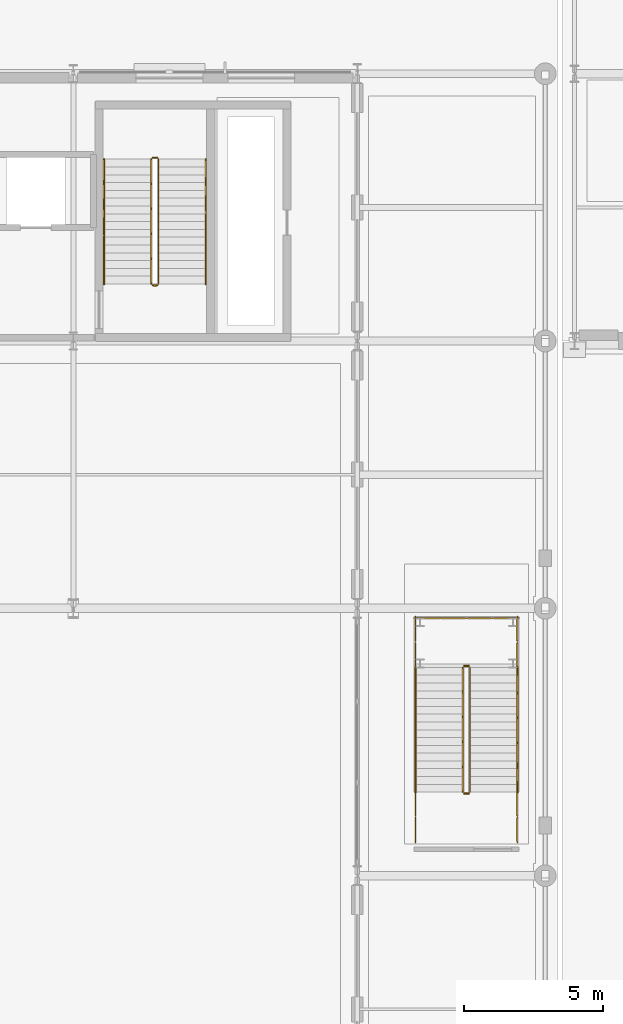
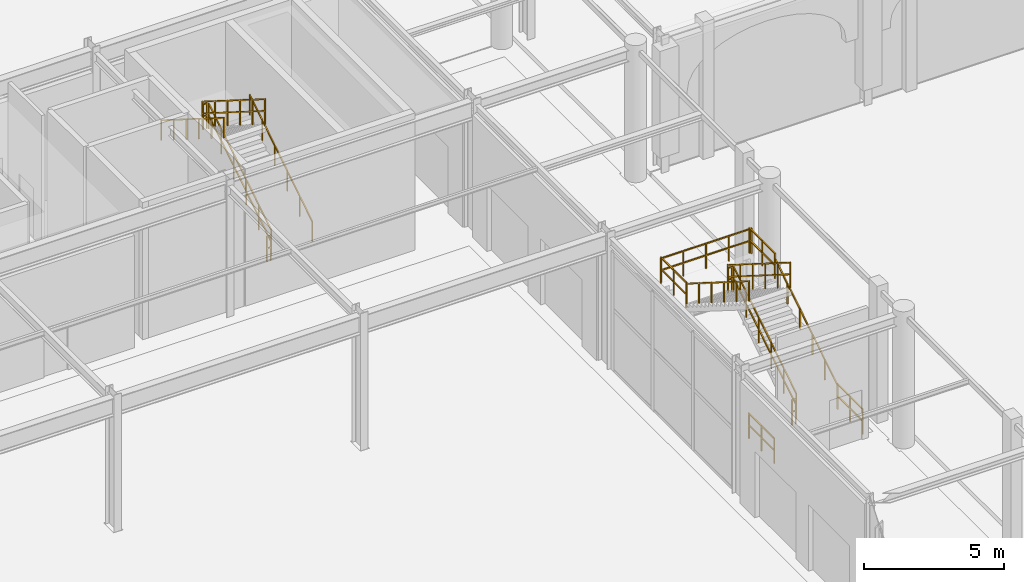
# One storey, part 93 of 113: 17 railings.
"""IFC4 building model written with IfcOpenShell, lengths in metres."""

from ifc_helpers import new_model, si_unit, direction, frame, origin, origin_2d, place, context, subcontext, project, spatial, rectangle, extrude, material, type_object, element, save


model = new_model("IFC4")

# Units and contexts
model_context = context("Model", 3, precision=1e-05, world=origin(), true_north=direction((0.0, 1.0)))
body_context = subcontext(model_context, "Body", "Model", "MODEL_VIEW")
ifc_project = project(units=[si_unit("LENGTHUNIT", "METRE"), si_unit("AREAUNIT", "SQUARE_METRE"), si_unit("VOLUMEUNIT", "CUBIC_METRE"), si_unit("PLANEANGLEUNIT", "RADIAN"), si_unit("MASSUNIT", "GRAM", prefix="KILO")], contexts=[model_context])

# Site, building, storey
site_placement = place(None, origin())
site = spatial("IfcSite", under=ifc_project, at=site_placement, CompositionType="ELEMENT")
building_placement = place(site_placement, origin())
building = spatial("IfcBuilding", under=site, at=building_placement, Name="Myrtia Square Station", CompositionType="ELEMENT")
storey_placement = place(building_placement, origin())
storey = spatial("IfcBuildingStorey", under=building, at=storey_placement, Name="L00", CompositionType="ELEMENT", Elevation=0.0)

# Railings
ifc_material_1 = material(Name="Dark bronze anodised aluminium", Category="aluminium")
railing_type_1 = type_object("IfcRailingType", Name="RL-HANDRAIL-900", PredefinedType="HANDRAIL", material=ifc_material_1)
railing_1_placement = place(storey_placement, frame((104.360107421875, 88.449951171875, 0.176513671875)))
element("IfcRailing", 1, at=railing_1_placement, inside=storey, type_object=railing_type_1, Name="L00 ST04 stair handrail 1", PredefinedType="HANDRAIL", context=body_context, shape_type="SweptSolid", body=[
    extrude(rectangle(XDim=0.048095703125, YDim=0.048095703125, at=origin_2d()), frame((0.0, 0.029296875, 0.894287109375), z_axis=(0.0, 0.845997938375, 0.533186166611), x_axis=(-1.0, 0.0, 0.0)), (0.0, 0.0, 1.0), 0.98974609375),
    extrude(rectangle(XDim=0.048095703125, YDim=0.048095703125, at=origin_2d()), frame((0.0, 0.92529296875, 1.458984375), z_axis=(0.0, 0.845997938375, 0.533186166611), x_axis=(-1.0, 0.0, 0.0)), (0.0, 0.0, 1.0), 0.98974609375),
    extrude(rectangle(XDim=0.048095703125, YDim=0.048095703125, at=origin_2d()), frame((0.0, 1.8212890625, 2.023681640625), z_axis=(0.0, 0.845997938375, 0.533186166611), x_axis=(-1.0, 0.0, 0.0)), (0.0, 0.0, 1.0), 0.98974609375),
    extrude(rectangle(XDim=0.048095703125, YDim=0.048095703125, at=origin_2d()), frame((0.0, 2.71728515625, 2.58837890625), z_axis=(0.0, 0.845997938375, 0.533186166611), x_axis=(-1.0, 0.0, 0.0)), (0.0, 0.0, 1.0), 0.98974609375),
    extrude(rectangle(XDim=0.048095703125, YDim=0.048095703125, at=origin_2d()), frame((0.0, 3.61328125, 3.153076171875), z_axis=(0.0, 0.845997938375, 0.533186166611), x_axis=(-1.0, 0.0, 0.0)), (0.0, 0.0, 1.0), 0.98974609375),
    extrude(rectangle(XDim=0.0439453125, YDim=0.0439453125, at=origin_2d()), origin(), (0.0, 0.0, 1.0), 0.89990234375),
    extrude(rectangle(XDim=0.0439453125, YDim=0.0439453125, at=origin_2d()), frame((0.0, 0.89599609375, 0.564697265625)), (0.0, 0.0, 1.0), 0.89990234375),
    extrude(rectangle(XDim=0.0439453125, YDim=0.0439453125, at=origin_2d()), frame((0.0, 1.7919921875, 1.12939453125)), (0.0, 0.0, 1.0), 0.89990234375),
    extrude(rectangle(XDim=0.0439453125, YDim=0.0439453125, at=origin_2d()), frame((0.0, 2.68798828125, 1.694091796875)), (0.0, 0.0, 1.0), 0.89990234375),
    extrude(rectangle(XDim=0.0439453125, YDim=0.0439453125, at=origin_2d()), frame((0.0, 3.583984375, 2.2587890625)), (0.0, 0.0, 1.0), 0.89990234375),
    extrude(rectangle(XDim=0.0439453125, YDim=0.0439453125, at=origin_2d()), frame((0.0, 4.47998046875, 2.823486328125)), (0.0, 0.0, 1.0), 0.89990234375),
])
railing_2_placement = place(storey_placement, frame((100.699951171875, 92.929931640625, 3.176513671875)))
element("IfcRailing", 2, at=railing_2_placement, inside=storey, type_object=railing_type_1, Name="L00 ST04 stair handrail 2", PredefinedType="HANDRAIL", context=body_context, shape_type="SweptSolid", body=[
    extrude(rectangle(XDim=0.048095703125, YDim=0.048095703125, at=origin_2d()), frame((0.0, -0.029296875, 0.894287109375), z_axis=(0.0, -0.845997938375, 0.533186166611), x_axis=(1.0, 0.0, 0.0)), (0.0, 0.0, 1.0), 0.98974609375),
    extrude(rectangle(XDim=0.048095703125, YDim=0.048095703125, at=origin_2d()), frame((0.0, -0.92529296875, 1.458984375), z_axis=(0.0, -0.845997938375, 0.533186166611), x_axis=(1.0, 0.0, 0.0)), (0.0, 0.0, 1.0), 0.98974609375),
    extrude(rectangle(XDim=0.048095703125, YDim=0.048095703125, at=origin_2d()), frame((0.0, -1.8212890625, 2.023681640625), z_axis=(0.0, -0.845997938375, 0.533186166611), x_axis=(1.0, 0.0, 0.0)), (0.0, 0.0, 1.0), 0.98974609375),
    extrude(rectangle(XDim=0.048095703125, YDim=0.048095703125, at=origin_2d()), frame((0.0, -2.71728515625, 2.58837890625), z_axis=(0.0, -0.845997938375, 0.533186166611), x_axis=(1.0, 0.0, 0.0)), (0.0, 0.0, 1.0), 0.98974609375),
    extrude(rectangle(XDim=0.048095703125, YDim=0.048095703125, at=origin_2d()), frame((0.0, -3.61328125, 3.153076171875), z_axis=(0.0, -0.845997938375, 0.533186166611), x_axis=(1.0, 0.0, 0.0)), (0.0, 0.0, 1.0), 0.98974609375),
    extrude(rectangle(XDim=0.0439453125, YDim=0.0439453125, at=origin_2d()), origin(), (0.0, 0.0, 1.0), 0.89990234375),
    extrude(rectangle(XDim=0.0439453125, YDim=0.0439453125, at=origin_2d()), frame((0.0, -0.89599609375, 0.564697265625)), (0.0, 0.0, 1.0), 0.89990234375),
    extrude(rectangle(XDim=0.0439453125, YDim=0.0439453125, at=origin_2d()), frame((0.0, -1.7919921875, 1.12939453125)), (0.0, 0.0, 1.0), 0.89990234375),
    extrude(rectangle(XDim=0.0439453125, YDim=0.0439453125, at=origin_2d()), frame((0.0, -2.68798828125, 1.694091796875)), (0.0, 0.0, 1.0), 0.89990234375),
    extrude(rectangle(XDim=0.0439453125, YDim=0.0439453125, at=origin_2d()), frame((0.0, -3.583984375, 2.2587890625)), (0.0, 0.0, 1.0), 0.89990234375),
    extrude(rectangle(XDim=0.0439453125, YDim=0.0439453125, at=origin_2d()), frame((0.0, -4.47998046875, 2.823486328125)), (0.0, 0.0, 1.0), 0.89990234375),
])
railing_3_placement = place(storey_placement, frame((115.550048828125, 70.199951171875, 0.176513671875)))
element("IfcRailing", 3, at=railing_3_placement, inside=storey, type_object=railing_type_1, Name="L00 ST70 stair handrail 1", PredefinedType="HANDRAIL", context=body_context, shape_type="SweptSolid", body=[
    extrude(rectangle(XDim=0.048095703125, YDim=0.048095703125, at=origin_2d()), frame((0.0, 0.029296875, 0.894287109375), z_axis=(0.0, 0.845997938375, 0.533186166611), x_axis=(-1.0, 0.0, 0.0)), (0.0, 0.0, 1.0), 0.98974609375),
    extrude(rectangle(XDim=0.048095703125, YDim=0.048095703125, at=origin_2d()), frame((0.0, 0.92529296875, 1.458984375), z_axis=(0.0, 0.845997938375, 0.533186166611), x_axis=(-1.0, 0.0, 0.0)), (0.0, 0.0, 1.0), 0.98974609375),
    extrude(rectangle(XDim=0.048095703125, YDim=0.048095703125, at=origin_2d()), frame((0.0, 1.8212890625, 2.023681640625), z_axis=(0.0, 0.845997938375, 0.533186166611), x_axis=(-1.0, 0.0, 0.0)), (0.0, 0.0, 1.0), 0.98974609375),
    extrude(rectangle(XDim=0.048095703125, YDim=0.048095703125, at=origin_2d()), frame((0.0, 2.71728515625, 2.58837890625), z_axis=(0.0, 0.845997938375, 0.533186166611), x_axis=(-1.0, 0.0, 0.0)), (0.0, 0.0, 1.0), 0.98974609375),
    extrude(rectangle(XDim=0.048095703125, YDim=0.048095703125, at=origin_2d()), frame((0.0, 3.61328125, 3.153076171875), z_axis=(0.0, 0.845997938375, 0.533186166611), x_axis=(-1.0, 0.0, 0.0)), (0.0, 0.0, 1.0), 0.98974609375),
    extrude(rectangle(XDim=0.0439453125, YDim=0.0439453125, at=origin_2d()), origin(), (0.0, 0.0, 1.0), 0.89990234375),
    extrude(rectangle(XDim=0.0439453125, YDim=0.0439453125, at=origin_2d()), frame((0.0, 0.89599609375, 0.564697265625)), (0.0, 0.0, 1.0), 0.89990234375),
    extrude(rectangle(XDim=0.0439453125, YDim=0.0439453125, at=origin_2d()), frame((0.0, 1.7919921875, 1.12939453125)), (0.0, 0.0, 1.0), 0.89990234375),
    extrude(rectangle(XDim=0.0439453125, YDim=0.0439453125, at=origin_2d()), frame((0.0, 2.68798828125, 1.694091796875)), (0.0, 0.0, 1.0), 0.89990234375),
    extrude(rectangle(XDim=0.0439453125, YDim=0.0439453125, at=origin_2d()), frame((0.0, 3.583984375, 2.2587890625)), (0.0, 0.0, 1.0), 0.89990234375),
    extrude(rectangle(XDim=0.0439453125, YDim=0.0439453125, at=origin_2d()), frame((0.0, 4.47998046875, 2.823486328125)), (0.0, 0.0, 1.0), 0.89990234375),
])
railing_4_placement = place(storey_placement, frame((111.889892578125, 74.679931640625, 3.176513671875)))
element("IfcRailing", 4, at=railing_4_placement, inside=storey, type_object=railing_type_1, Name="L00 ST70 stair handrail 2", PredefinedType="HANDRAIL", context=body_context, shape_type="SweptSolid", body=[
    extrude(rectangle(XDim=0.048095703125, YDim=0.048095703125, at=origin_2d()), frame((0.0, -0.029296875, 0.894287109375), z_axis=(0.0, -0.845997938375, 0.533186166611), x_axis=(1.0, 0.0, 0.0)), (0.0, 0.0, 1.0), 0.98974609375),
    extrude(rectangle(XDim=0.048095703125, YDim=0.048095703125, at=origin_2d()), frame((0.0, -0.92529296875, 1.458984375), z_axis=(0.0, -0.845997938375, 0.533186166611), x_axis=(1.0, 0.0, 0.0)), (0.0, 0.0, 1.0), 0.98974609375),
    extrude(rectangle(XDim=0.048095703125, YDim=0.048095703125, at=origin_2d()), frame((0.0, -1.8212890625, 2.023681640625), z_axis=(0.0, -0.845997938375, 0.533186166611), x_axis=(1.0, 0.0, 0.0)), (0.0, 0.0, 1.0), 0.98974609375),
    extrude(rectangle(XDim=0.048095703125, YDim=0.048095703125, at=origin_2d()), frame((0.0, -2.71728515625, 2.58837890625), z_axis=(0.0, -0.845997938375, 0.533186166611), x_axis=(1.0, 0.0, 0.0)), (0.0, 0.0, 1.0), 0.98974609375),
    extrude(rectangle(XDim=0.048095703125, YDim=0.048095703125, at=origin_2d()), frame((0.0, -3.61328125, 3.153076171875), z_axis=(0.0, -0.845997938375, 0.533186166611), x_axis=(1.0, 0.0, 0.0)), (0.0, 0.0, 1.0), 0.98974609375),
    extrude(rectangle(XDim=0.0439453125, YDim=0.0439453125, at=origin_2d()), origin(), (0.0, 0.0, 1.0), 0.89990234375),
    extrude(rectangle(XDim=0.0439453125, YDim=0.0439453125, at=origin_2d()), frame((0.0, -0.89599609375, 0.564697265625)), (0.0, 0.0, 1.0), 0.89990234375),
    extrude(rectangle(XDim=0.0439453125, YDim=0.0439453125, at=origin_2d()), frame((0.0, -1.7919921875, 1.12939453125)), (0.0, 0.0, 1.0), 0.89990234375),
    extrude(rectangle(XDim=0.0439453125, YDim=0.0439453125, at=origin_2d()), frame((0.0, -2.68798828125, 1.694091796875)), (0.0, 0.0, 1.0), 0.89990234375),
    extrude(rectangle(XDim=0.0439453125, YDim=0.0439453125, at=origin_2d()), frame((0.0, -3.583984375, 2.2587890625)), (0.0, 0.0, 1.0), 0.89990234375),
    extrude(rectangle(XDim=0.0439453125, YDim=0.0439453125, at=origin_2d()), frame((0.0, -4.47998046875, 2.823486328125)), (0.0, 0.0, 1.0), 0.89990234375),
])
ifc_material_2 = material(Name="Wrought iron", Category="steel")
railing_type_2 = type_object("IfcRailingType", Name="RL-INT-GUARD-1100", PredefinedType="BALUSTRADE", material=ifc_material_2)
railing_5_placement = place(storey_placement, frame((102.659912109375, 88.449951171875, 0.176513671875)))
element("IfcRailing", 5, at=railing_5_placement, inside=storey, type_object=railing_type_2, Name="L00 ST04 stair guard 1", PredefinedType="BALUSTRADE", context=body_context, shape_type="SweptSolid", body=[
    extrude(rectangle(XDim=0.048095703125, YDim=0.048095703125, at=origin_2d()), frame((0.0, 0.029296875, 1.114501953125), z_axis=(0.0, 0.845997938375, 0.533186166611), x_axis=(-1.0, 0.0, 0.0)), (0.0, 0.0, 1.0), 0.98974609375),
    extrude(rectangle(XDim=0.048095703125, YDim=0.048095703125, at=origin_2d()), frame((0.0, 0.029296875, 0.600830078125), z_axis=(0.0, 0.845997938375, 0.533186166611), x_axis=(-1.0, 0.0, 0.0)), (0.0, 0.0, 1.0), 0.98974609375),
    extrude(rectangle(XDim=0.048095703125, YDim=0.048095703125, at=origin_2d()), frame((0.0, 0.92529296875, 1.67919921875), z_axis=(0.0, 0.845997938375, 0.533186166611), x_axis=(-1.0, 0.0, 0.0)), (0.0, 0.0, 1.0), 0.98974609375),
    extrude(rectangle(XDim=0.048095703125, YDim=0.048095703125, at=origin_2d()), frame((0.0, 0.92529296875, 1.16552734375), z_axis=(0.0, 0.845997938375, 0.533186166611), x_axis=(-1.0, 0.0, 0.0)), (0.0, 0.0, 1.0), 0.98974609375),
    extrude(rectangle(XDim=0.048095703125, YDim=0.048095703125, at=origin_2d()), frame((0.0, 1.8212890625, 2.243896484375), z_axis=(0.0, 0.845997938375, 0.533186166611), x_axis=(-1.0, 0.0, 0.0)), (0.0, 0.0, 1.0), 0.98974609375),
    extrude(rectangle(XDim=0.048095703125, YDim=0.048095703125, at=origin_2d()), frame((0.0, 1.8212890625, 1.730224609375), z_axis=(0.0, 0.845997938375, 0.533186166611), x_axis=(-1.0, 0.0, 0.0)), (0.0, 0.0, 1.0), 0.98974609375),
    extrude(rectangle(XDim=0.048095703125, YDim=0.048095703125, at=origin_2d()), frame((0.0, 2.71728515625, 2.80859375), z_axis=(0.0, 0.845997938375, 0.533186166611), x_axis=(-1.0, 0.0, 0.0)), (0.0, 0.0, 1.0), 0.98974609375),
    extrude(rectangle(XDim=0.048095703125, YDim=0.048095703125, at=origin_2d()), frame((0.0, 2.71728515625, 2.294921875), z_axis=(0.0, 0.845997938375, 0.533186166611), x_axis=(-1.0, 0.0, 0.0)), (0.0, 0.0, 1.0), 0.98974609375),
    extrude(rectangle(XDim=0.048095703125, YDim=0.048095703125, at=origin_2d()), frame((0.0, 3.61328125, 3.373291015625), z_axis=(0.0, 0.845997938375, 0.533186166611), x_axis=(-1.0, 0.0, 0.0)), (0.0, 0.0, 1.0), 0.98974609375),
    extrude(rectangle(XDim=0.048095703125, YDim=0.048095703125, at=origin_2d()), frame((0.0, 3.61328125, 2.859619140625), z_axis=(0.0, 0.845997938375, 0.533186166611), x_axis=(-1.0, 0.0, 0.0)), (0.0, 0.0, 1.0), 0.98974609375),
    extrude(rectangle(XDim=0.0439453125, YDim=0.0439453125, at=origin_2d()), origin(), (0.0, 0.0, 1.0), 1.1201171875),
    extrude(rectangle(XDim=0.0439453125, YDim=0.0439453125, at=origin_2d()), frame((0.0, 0.89599609375, 0.564697265625)), (0.0, 0.0, 1.0), 1.1201171875),
    extrude(rectangle(XDim=0.0439453125, YDim=0.0439453125, at=origin_2d()), frame((0.0, 1.7919921875, 1.12939453125)), (0.0, 0.0, 1.0), 1.1201171875),
    extrude(rectangle(XDim=0.0439453125, YDim=0.0439453125, at=origin_2d()), frame((0.0, 2.68798828125, 1.694091796875)), (0.0, 0.0, 1.0), 1.1201171875),
    extrude(rectangle(XDim=0.0439453125, YDim=0.0439453125, at=origin_2d()), frame((0.0, 3.583984375, 2.2587890625)), (0.0, 0.0, 1.0), 1.1201171875),
    extrude(rectangle(XDim=0.0439453125, YDim=0.0439453125, at=origin_2d()), frame((0.0, 4.47998046875, 2.823486328125)), (0.0, 0.0, 1.0), 1.1201171875),
])
railing_6_placement = place(storey_placement, frame((102.610107421875, 92.97998046875, 3.0)))
element("IfcRailing", 6, at=railing_6_placement, inside=storey, type_object=railing_type_2, Name="L00 ST04 stair guard 2", PredefinedType="BALUSTRADE", context=body_context, shape_type="SweptSolid", body=[
    extrude(rectangle(XDim=0.048095703125, YDim=0.048095703125, at=origin_2d()), frame((-0.03466796875, 0.0, 1.09619140625), z_axis=(-1.0, 0.0, 0.0), x_axis=(0.0, -1.0, 0.0)), (0.0, 0.0, 1.0), 0.0908203125),
    extrude(rectangle(XDim=0.048095703125, YDim=0.048095703125, at=origin_2d()), frame((-0.03466796875, 0.0, 0.58251953125), z_axis=(-1.0, 0.0, 0.0), x_axis=(0.0, -1.0, 0.0)), (0.0, 0.0, 1.0), 0.0908203125),
    extrude(rectangle(XDim=0.0439453125, YDim=0.0439453125, at=origin_2d()), origin(), (0.0, 0.0, 1.0), 1.1201171875),
    extrude(rectangle(XDim=0.0439453125, YDim=0.0439453125, at=origin_2d()), frame((-0.16015625, 0.0, 0.0)), (0.0, 0.0, 1.0), 1.1201171875),
])
railing_7_placement = place(storey_placement, frame((102.39990234375, 92.929931640625, 3.176513671875)))
element("IfcRailing", 7, at=railing_7_placement, inside=storey, type_object=railing_type_2, Name="L00 ST04 stair guard 3", PredefinedType="BALUSTRADE", context=body_context, shape_type="SweptSolid", body=[
    extrude(rectangle(XDim=0.048095703125, YDim=0.048095703125, at=origin_2d()), frame((0.0, -0.029296875, 1.114501953125), z_axis=(0.0, -0.845997938375, 0.533186166611), x_axis=(1.0, 0.0, 0.0)), (0.0, 0.0, 1.0), 0.98974609375),
    extrude(rectangle(XDim=0.048095703125, YDim=0.048095703125, at=origin_2d()), frame((0.0, -0.029296875, 0.600830078125), z_axis=(0.0, -0.845997938375, 0.533186166611), x_axis=(1.0, 0.0, 0.0)), (0.0, 0.0, 1.0), 0.98974609375),
    extrude(rectangle(XDim=0.048095703125, YDim=0.048095703125, at=origin_2d()), frame((0.0, -0.92529296875, 1.67919921875), z_axis=(0.0, -0.845997938375, 0.533186166611), x_axis=(1.0, 0.0, 0.0)), (0.0, 0.0, 1.0), 0.98974609375),
    extrude(rectangle(XDim=0.048095703125, YDim=0.048095703125, at=origin_2d()), frame((0.0, -0.92529296875, 1.16552734375), z_axis=(0.0, -0.845997938375, 0.533186166611), x_axis=(1.0, 0.0, 0.0)), (0.0, 0.0, 1.0), 0.98974609375),
    extrude(rectangle(XDim=0.048095703125, YDim=0.048095703125, at=origin_2d()), frame((0.0, -1.8212890625, 2.243896484375), z_axis=(0.0, -0.845997938375, 0.533186166611), x_axis=(1.0, 0.0, 0.0)), (0.0, 0.0, 1.0), 0.98974609375),
    extrude(rectangle(XDim=0.048095703125, YDim=0.048095703125, at=origin_2d()), frame((0.0, -1.8212890625, 1.730224609375), z_axis=(0.0, -0.845997938375, 0.533186166611), x_axis=(1.0, 0.0, 0.0)), (0.0, 0.0, 1.0), 0.98974609375),
    extrude(rectangle(XDim=0.048095703125, YDim=0.048095703125, at=origin_2d()), frame((0.0, -2.71728515625, 2.80859375), z_axis=(0.0, -0.845997938375, 0.533186166611), x_axis=(1.0, 0.0, 0.0)), (0.0, 0.0, 1.0), 0.98974609375),
    extrude(rectangle(XDim=0.048095703125, YDim=0.048095703125, at=origin_2d()), frame((0.0, -2.71728515625, 2.294921875), z_axis=(0.0, -0.845997938375, 0.533186166611), x_axis=(1.0, 0.0, 0.0)), (0.0, 0.0, 1.0), 0.98974609375),
    extrude(rectangle(XDim=0.048095703125, YDim=0.048095703125, at=origin_2d()), frame((0.0, -3.61328125, 3.373291015625), z_axis=(0.0, -0.845997938375, 0.533186166611), x_axis=(1.0, 0.0, 0.0)), (0.0, 0.0, 1.0), 0.98974609375),
    extrude(rectangle(XDim=0.048095703125, YDim=0.048095703125, at=origin_2d()), frame((0.0, -3.61328125, 2.859619140625), z_axis=(0.0, -0.845997938375, 0.533186166611), x_axis=(1.0, 0.0, 0.0)), (0.0, 0.0, 1.0), 0.98974609375),
    extrude(rectangle(XDim=0.0439453125, YDim=0.0439453125, at=origin_2d()), origin(), (0.0, 0.0, 1.0), 1.1201171875),
    extrude(rectangle(XDim=0.0439453125, YDim=0.0439453125, at=origin_2d()), frame((0.0, -0.89599609375, 0.564697265625)), (0.0, 0.0, 1.0), 1.1201171875),
    extrude(rectangle(XDim=0.0439453125, YDim=0.0439453125, at=origin_2d()), frame((0.0, -1.7919921875, 1.12939453125)), (0.0, 0.0, 1.0), 1.1201171875),
    extrude(rectangle(XDim=0.0439453125, YDim=0.0439453125, at=origin_2d()), frame((0.0, -2.68798828125, 1.694091796875)), (0.0, 0.0, 1.0), 1.1201171875),
    extrude(rectangle(XDim=0.0439453125, YDim=0.0439453125, at=origin_2d()), frame((0.0, -3.583984375, 2.2587890625)), (0.0, 0.0, 1.0), 1.1201171875),
    extrude(rectangle(XDim=0.0439453125, YDim=0.0439453125, at=origin_2d()), frame((0.0, -4.47998046875, 2.823486328125)), (0.0, 0.0, 1.0), 1.1201171875),
])
railing_8_placement = place(storey_placement, frame((102.610107421875, 88.39990234375, 0.0)))
element("IfcRailing", 8, at=railing_8_placement, inside=storey, type_object=railing_type_2, Name="L00 ST04 stair guard 4", PredefinedType="BALUSTRADE", context=body_context, shape_type="SweptSolid", body=[
    extrude(rectangle(XDim=0.048095703125, YDim=0.048095703125, at=origin_2d()), frame((-0.03466796875, 0.0, 1.09619140625), z_axis=(-1.0, 0.0, 0.0), x_axis=(0.0, -1.0, 0.0)), (0.0, 0.0, 1.0), 0.0908203125),
    extrude(rectangle(XDim=0.048095703125, YDim=0.048095703125, at=origin_2d()), frame((-0.03466796875, 0.0, 0.58251953125), z_axis=(-1.0, 0.0, 0.0), x_axis=(0.0, -1.0, 0.0)), (0.0, 0.0, 1.0), 0.0908203125),
    extrude(rectangle(XDim=0.0439453125, YDim=0.0439453125, at=origin_2d()), origin(), (0.0, 0.0, 1.0), 1.1201171875),
    extrude(rectangle(XDim=0.0439453125, YDim=0.0439453125, at=origin_2d()), frame((-0.16015625, 0.0, 0.0)), (0.0, 0.0, 1.0), 1.1201171875),
])
railing_9_placement = place(storey_placement, frame((113.85009765625, 70.199951171875, 0.176513671875)))
element("IfcRailing", 9, at=railing_9_placement, inside=storey, type_object=railing_type_2, Name="L00 ST70 stair guard 1", PredefinedType="BALUSTRADE", context=body_context, shape_type="SweptSolid", body=[
    extrude(rectangle(XDim=0.048095703125, YDim=0.048095703125, at=origin_2d()), frame((0.0, 0.029296875, 1.114501953125), z_axis=(0.0, 0.845997938375, 0.533186166611), x_axis=(-1.0, 0.0, 0.0)), (0.0, 0.0, 1.0), 0.98974609375),
    extrude(rectangle(XDim=0.048095703125, YDim=0.048095703125, at=origin_2d()), frame((0.0, 0.029296875, 0.600830078125), z_axis=(0.0, 0.845997938375, 0.533186166611), x_axis=(-1.0, 0.0, 0.0)), (0.0, 0.0, 1.0), 0.98974609375),
    extrude(rectangle(XDim=0.048095703125, YDim=0.048095703125, at=origin_2d()), frame((0.0, 0.92529296875, 1.67919921875), z_axis=(0.0, 0.845997938375, 0.533186166611), x_axis=(-1.0, 0.0, 0.0)), (0.0, 0.0, 1.0), 0.98974609375),
    extrude(rectangle(XDim=0.048095703125, YDim=0.048095703125, at=origin_2d()), frame((0.0, 0.92529296875, 1.16552734375), z_axis=(0.0, 0.845997938375, 0.533186166611), x_axis=(-1.0, 0.0, 0.0)), (0.0, 0.0, 1.0), 0.98974609375),
    extrude(rectangle(XDim=0.048095703125, YDim=0.048095703125, at=origin_2d()), frame((0.0, 1.8212890625, 2.243896484375), z_axis=(0.0, 0.845997938375, 0.533186166611), x_axis=(-1.0, 0.0, 0.0)), (0.0, 0.0, 1.0), 0.98974609375),
    extrude(rectangle(XDim=0.048095703125, YDim=0.048095703125, at=origin_2d()), frame((0.0, 1.8212890625, 1.730224609375), z_axis=(0.0, 0.845997938375, 0.533186166611), x_axis=(-1.0, 0.0, 0.0)), (0.0, 0.0, 1.0), 0.98974609375),
    extrude(rectangle(XDim=0.048095703125, YDim=0.048095703125, at=origin_2d()), frame((0.0, 2.71728515625, 2.80859375), z_axis=(0.0, 0.845997938375, 0.533186166611), x_axis=(-1.0, 0.0, 0.0)), (0.0, 0.0, 1.0), 0.98974609375),
    extrude(rectangle(XDim=0.048095703125, YDim=0.048095703125, at=origin_2d()), frame((0.0, 2.71728515625, 2.294921875), z_axis=(0.0, 0.845997938375, 0.533186166611), x_axis=(-1.0, 0.0, 0.0)), (0.0, 0.0, 1.0), 0.98974609375),
    extrude(rectangle(XDim=0.048095703125, YDim=0.048095703125, at=origin_2d()), frame((0.0, 3.61328125, 3.373291015625), z_axis=(0.0, 0.845997938375, 0.533186166611), x_axis=(-1.0, 0.0, 0.0)), (0.0, 0.0, 1.0), 0.98974609375),
    extrude(rectangle(XDim=0.048095703125, YDim=0.048095703125, at=origin_2d()), frame((0.0, 3.61328125, 2.859619140625), z_axis=(0.0, 0.845997938375, 0.533186166611), x_axis=(-1.0, 0.0, 0.0)), (0.0, 0.0, 1.0), 0.98974609375),
    extrude(rectangle(XDim=0.0439453125, YDim=0.0439453125, at=origin_2d()), origin(), (0.0, 0.0, 1.0), 1.1201171875),
    extrude(rectangle(XDim=0.0439453125, YDim=0.0439453125, at=origin_2d()), frame((0.0, 0.89599609375, 0.564697265625)), (0.0, 0.0, 1.0), 1.1201171875),
    extrude(rectangle(XDim=0.0439453125, YDim=0.0439453125, at=origin_2d()), frame((0.0, 1.7919921875, 1.12939453125)), (0.0, 0.0, 1.0), 1.1201171875),
    extrude(rectangle(XDim=0.0439453125, YDim=0.0439453125, at=origin_2d()), frame((0.0, 2.68798828125, 1.694091796875)), (0.0, 0.0, 1.0), 1.1201171875),
    extrude(rectangle(XDim=0.0439453125, YDim=0.0439453125, at=origin_2d()), frame((0.0, 3.583984375, 2.2587890625)), (0.0, 0.0, 1.0), 1.1201171875),
    extrude(rectangle(XDim=0.0439453125, YDim=0.0439453125, at=origin_2d()), frame((0.0, 4.47998046875, 2.823486328125)), (0.0, 0.0, 1.0), 1.1201171875),
])
railing_10_placement = place(storey_placement, frame((113.800048828125, 74.72998046875, 3.0)))
element("IfcRailing", 10, at=railing_10_placement, inside=storey, type_object=railing_type_2, Name="L00 ST70 stair guard 2", PredefinedType="BALUSTRADE", context=body_context, shape_type="SweptSolid", body=[
    extrude(rectangle(XDim=0.048095703125, YDim=0.048095703125, at=origin_2d()), frame((-0.03466796875, 0.0, 1.09619140625), z_axis=(-1.0, 0.0, 0.0), x_axis=(0.0, -1.0, 0.0)), (0.0, 0.0, 1.0), 0.0908203125),
    extrude(rectangle(XDim=0.048095703125, YDim=0.048095703125, at=origin_2d()), frame((-0.03466796875, 0.0, 0.58251953125), z_axis=(-1.0, 0.0, 0.0), x_axis=(0.0, -1.0, 0.0)), (0.0, 0.0, 1.0), 0.0908203125),
    extrude(rectangle(XDim=0.0439453125, YDim=0.0439453125, at=origin_2d()), origin(), (0.0, 0.0, 1.0), 1.1201171875),
    extrude(rectangle(XDim=0.0439453125, YDim=0.0439453125, at=origin_2d()), frame((-0.16015625, 0.0, 0.0)), (0.0, 0.0, 1.0), 1.1201171875),
])
for number, where, name in (
    (11, (115.550048828125, 74.679931640625, 3.0), "L00 ST70 stair guard 3"),
    (12, (111.889892578125, 74.679931640625, 3.0), "L00 ST70 stair guard 4"),
):
    element("IfcRailing", number, at=place(storey_placement, frame(where)), inside=storey, type_object=railing_type_2, Name=name, PredefinedType="BALUSTRADE", context=body_context, shape_type="SweptSolid", body=[
        extrude(rectangle(XDim=0.048095703125, YDim=0.048095703125, at=origin_2d()), frame((0.0, 0.03466796875, 1.09619140625), z_axis=(0.0, 1.0, 0.0), x_axis=(-1.0, 0.0, 0.0)), (0.0, 0.0, 1.0), 0.8408203125),
        extrude(rectangle(XDim=0.048095703125, YDim=0.048095703125, at=origin_2d()), frame((0.0, 0.03466796875, 0.58251953125), z_axis=(0.0, 1.0, 0.0), x_axis=(-1.0, 0.0, 0.0)), (0.0, 0.0, 1.0), 0.8408203125),
        extrude(rectangle(XDim=0.048095703125, YDim=0.048095703125, at=origin_2d()), frame((0.0, 0.944580078125, 1.09619140625), z_axis=(0.0, 1.0, 0.0), x_axis=(-1.0, 0.0, 0.0)), (0.0, 0.0, 1.0), 0.8408203125),
        extrude(rectangle(XDim=0.048095703125, YDim=0.048095703125, at=origin_2d()), frame((0.0, 0.944580078125, 0.58251953125), z_axis=(0.0, 1.0, 0.0), x_axis=(-1.0, 0.0, 0.0)), (0.0, 0.0, 1.0), 0.8408203125),
        extrude(rectangle(XDim=0.0439453125, YDim=0.0439453125, at=origin_2d()), origin(), (0.0, 0.0, 1.0), 1.1201171875),
        extrude(rectangle(XDim=0.0439453125, YDim=0.0439453125, at=origin_2d()), frame((0.0, 0.91015625, 0.0)), (0.0, 0.0, 1.0), 1.1201171875),
        extrude(rectangle(XDim=0.0439453125, YDim=0.0439453125, at=origin_2d()), frame((0.0, 1.820068359375, 0.0)), (0.0, 0.0, 1.0), 1.1201171875),
    ])
railing_11_placement = place(storey_placement, frame((115.60009765625, 76.449951171875, 3.0)))
element("IfcRailing", 13, at=railing_11_placement, inside=storey, type_object=railing_type_2, Name="L00 ST70 stair guard 5", PredefinedType="BALUSTRADE", context=body_context, shape_type="SweptSolid", body=[
    extrude(rectangle(XDim=0.048095703125, YDim=0.048095703125, at=origin_2d()), frame((-0.03466796875, 0.0, 1.09619140625), z_axis=(-1.0, 0.0, 0.0), x_axis=(0.0, -1.0, 0.0)), (0.0, 0.0, 1.0), 0.87060546875),
    extrude(rectangle(XDim=0.048095703125, YDim=0.048095703125, at=origin_2d()), frame((-0.03466796875, 0.0, 0.58251953125), z_axis=(-1.0, 0.0, 0.0), x_axis=(0.0, -1.0, 0.0)), (0.0, 0.0, 1.0), 0.87060546875),
    extrude(rectangle(XDim=0.048095703125, YDim=0.048095703125, at=origin_2d()), frame((-0.974609375, 0.0, 1.09619140625), z_axis=(-1.0, 0.0, 0.0), x_axis=(0.0, -1.0, 0.0)), (0.0, 0.0, 1.0), 0.87060546875),
    extrude(rectangle(XDim=0.048095703125, YDim=0.048095703125, at=origin_2d()), frame((-0.974609375, 0.0, 0.58251953125), z_axis=(-1.0, 0.0, 0.0), x_axis=(0.0, -1.0, 0.0)), (0.0, 0.0, 1.0), 0.87060546875),
    extrude(rectangle(XDim=0.048095703125, YDim=0.048095703125, at=origin_2d()), frame((-1.91455078125, 0.0, 1.09619140625), z_axis=(-1.0, 0.0, 0.0), x_axis=(0.0, -1.0, 0.0)), (0.0, 0.0, 1.0), 0.87060546875),
    extrude(rectangle(XDim=0.048095703125, YDim=0.048095703125, at=origin_2d()), frame((-1.91455078125, 0.0, 0.58251953125), z_axis=(-1.0, 0.0, 0.0), x_axis=(0.0, -1.0, 0.0)), (0.0, 0.0, 1.0), 0.87060546875),
    extrude(rectangle(XDim=0.048095703125, YDim=0.048095703125, at=origin_2d()), frame((-2.854736328125, 0.0, 1.09619140625), z_axis=(-1.0, 0.0, 0.0), x_axis=(0.0, -1.0, 0.0)), (0.0, 0.0, 1.0), 0.87060546875),
    extrude(rectangle(XDim=0.048095703125, YDim=0.048095703125, at=origin_2d()), frame((-2.854736328125, 0.0, 0.58251953125), z_axis=(-1.0, 0.0, 0.0), x_axis=(0.0, -1.0, 0.0)), (0.0, 0.0, 1.0), 0.87060546875),
    extrude(rectangle(XDim=0.0439453125, YDim=0.0439453125, at=origin_2d()), origin(), (0.0, 0.0, 1.0), 1.1201171875),
    extrude(rectangle(XDim=0.0439453125, YDim=0.0439453125, at=origin_2d()), frame((-0.93994140625, 0.0, 0.0)), (0.0, 0.0, 1.0), 1.1201171875),
    extrude(rectangle(XDim=0.0439453125, YDim=0.0439453125, at=origin_2d()), frame((-1.8798828125, 0.0, 0.0)), (0.0, 0.0, 1.0), 1.1201171875),
    extrude(rectangle(XDim=0.0439453125, YDim=0.0439453125, at=origin_2d()), frame((-2.820068359375, 0.0, 0.0)), (0.0, 0.0, 1.0), 1.1201171875),
    extrude(rectangle(XDim=0.0439453125, YDim=0.0439453125, at=origin_2d()), frame((-3.760009765625, 0.0, 0.0)), (0.0, 0.0, 1.0), 1.1201171875),
])
railing_12_placement = place(storey_placement, frame((113.590087890625, 74.679931640625, 3.176513671875)))
element("IfcRailing", 14, at=railing_12_placement, inside=storey, type_object=railing_type_2, Name="L00 ST70 stair guard 6", PredefinedType="BALUSTRADE", context=body_context, shape_type="SweptSolid", body=[
    extrude(rectangle(XDim=0.048095703125, YDim=0.048095703125, at=origin_2d()), frame((0.0, -0.029296875, 1.114501953125), z_axis=(0.0, -0.845997938375, 0.533186166611), x_axis=(1.0, 0.0, 0.0)), (0.0, 0.0, 1.0), 0.98974609375),
    extrude(rectangle(XDim=0.048095703125, YDim=0.048095703125, at=origin_2d()), frame((0.0, -0.029296875, 0.600830078125), z_axis=(0.0, -0.845997938375, 0.533186166611), x_axis=(1.0, 0.0, 0.0)), (0.0, 0.0, 1.0), 0.98974609375),
    extrude(rectangle(XDim=0.048095703125, YDim=0.048095703125, at=origin_2d()), frame((0.0, -0.92529296875, 1.67919921875), z_axis=(0.0, -0.845997938375, 0.533186166611), x_axis=(1.0, 0.0, 0.0)), (0.0, 0.0, 1.0), 0.98974609375),
    extrude(rectangle(XDim=0.048095703125, YDim=0.048095703125, at=origin_2d()), frame((0.0, -0.92529296875, 1.16552734375), z_axis=(0.0, -0.845997938375, 0.533186166611), x_axis=(1.0, 0.0, 0.0)), (0.0, 0.0, 1.0), 0.98974609375),
    extrude(rectangle(XDim=0.048095703125, YDim=0.048095703125, at=origin_2d()), frame((0.0, -1.8212890625, 2.243896484375), z_axis=(0.0, -0.845997938375, 0.533186166611), x_axis=(1.0, 0.0, 0.0)), (0.0, 0.0, 1.0), 0.98974609375),
    extrude(rectangle(XDim=0.048095703125, YDim=0.048095703125, at=origin_2d()), frame((0.0, -1.8212890625, 1.730224609375), z_axis=(0.0, -0.845997938375, 0.533186166611), x_axis=(1.0, 0.0, 0.0)), (0.0, 0.0, 1.0), 0.98974609375),
    extrude(rectangle(XDim=0.048095703125, YDim=0.048095703125, at=origin_2d()), frame((0.0, -2.71728515625, 2.80859375), z_axis=(0.0, -0.845997938375, 0.533186166611), x_axis=(1.0, 0.0, 0.0)), (0.0, 0.0, 1.0), 0.98974609375),
    extrude(rectangle(XDim=0.048095703125, YDim=0.048095703125, at=origin_2d()), frame((0.0, -2.71728515625, 2.294921875), z_axis=(0.0, -0.845997938375, 0.533186166611), x_axis=(1.0, 0.0, 0.0)), (0.0, 0.0, 1.0), 0.98974609375),
    extrude(rectangle(XDim=0.048095703125, YDim=0.048095703125, at=origin_2d()), frame((0.0, -3.61328125, 3.373291015625), z_axis=(0.0, -0.845997938375, 0.533186166611), x_axis=(1.0, 0.0, 0.0)), (0.0, 0.0, 1.0), 0.98974609375),
    extrude(rectangle(XDim=0.048095703125, YDim=0.048095703125, at=origin_2d()), frame((0.0, -3.61328125, 2.859619140625), z_axis=(0.0, -0.845997938375, 0.533186166611), x_axis=(1.0, 0.0, 0.0)), (0.0, 0.0, 1.0), 0.98974609375),
    extrude(rectangle(XDim=0.0439453125, YDim=0.0439453125, at=origin_2d()), origin(), (0.0, 0.0, 1.0), 1.1201171875),
    extrude(rectangle(XDim=0.0439453125, YDim=0.0439453125, at=origin_2d()), frame((0.0, -0.89599609375, 0.564697265625)), (0.0, 0.0, 1.0), 1.1201171875),
    extrude(rectangle(XDim=0.0439453125, YDim=0.0439453125, at=origin_2d()), frame((0.0, -1.7919921875, 1.12939453125)), (0.0, 0.0, 1.0), 1.1201171875),
    extrude(rectangle(XDim=0.0439453125, YDim=0.0439453125, at=origin_2d()), frame((0.0, -2.68798828125, 1.694091796875)), (0.0, 0.0, 1.0), 1.1201171875),
    extrude(rectangle(XDim=0.0439453125, YDim=0.0439453125, at=origin_2d()), frame((0.0, -3.583984375, 2.2587890625)), (0.0, 0.0, 1.0), 1.1201171875),
    extrude(rectangle(XDim=0.0439453125, YDim=0.0439453125, at=origin_2d()), frame((0.0, -4.47998046875, 2.823486328125)), (0.0, 0.0, 1.0), 1.1201171875),
])
railing_13_placement = place(storey_placement, frame((113.800048828125, 70.14990234375, 0.0)))
element("IfcRailing", 15, at=railing_13_placement, inside=storey, type_object=railing_type_2, Name="L00 ST70 stair guard 7", PredefinedType="BALUSTRADE", context=body_context, shape_type="SweptSolid", body=[
    extrude(rectangle(XDim=0.048095703125, YDim=0.048095703125, at=origin_2d()), frame((-0.03466796875, 0.0, 1.09619140625), z_axis=(-1.0, 0.0, 0.0), x_axis=(0.0, -1.0, 0.0)), (0.0, 0.0, 1.0), 0.0908203125),
    extrude(rectangle(XDim=0.048095703125, YDim=0.048095703125, at=origin_2d()), frame((-0.03466796875, 0.0, 0.58251953125), z_axis=(-1.0, 0.0, 0.0), x_axis=(0.0, -1.0, 0.0)), (0.0, 0.0, 1.0), 0.0908203125),
    extrude(rectangle(XDim=0.0439453125, YDim=0.0439453125, at=origin_2d()), origin(), (0.0, 0.0, 1.0), 1.1201171875),
    extrude(rectangle(XDim=0.0439453125, YDim=0.0439453125, at=origin_2d()), frame((-0.16015625, 0.0, 0.0)), (0.0, 0.0, 1.0), 1.1201171875),
])
for number, where, name in (
    (16, (115.550048828125, 68.39990234375, 0.0), "L00 ST70 stair guard 8"),
    (17, (111.889892578125, 68.39990234375, 0.0), "L00 ST70 stair guard 9"),
):
    element("IfcRailing", number, at=place(storey_placement, frame(where)), inside=storey, type_object=railing_type_2, Name=name, PredefinedType="BALUSTRADE", context=body_context, shape_type="SweptSolid", body=[
        extrude(rectangle(XDim=0.048095703125, YDim=0.048095703125, at=origin_2d()), frame((0.0, 0.03466796875, 1.09619140625), z_axis=(0.0, 1.0, 0.0), x_axis=(-1.0, 0.0, 0.0)), (0.0, 0.0, 1.0), 0.830810546875),
        extrude(rectangle(XDim=0.048095703125, YDim=0.048095703125, at=origin_2d()), frame((0.0, 0.03466796875, 0.58251953125), z_axis=(0.0, 1.0, 0.0), x_axis=(-1.0, 0.0, 0.0)), (0.0, 0.0, 1.0), 0.830810546875),
        extrude(rectangle(XDim=0.048095703125, YDim=0.048095703125, at=origin_2d()), frame((0.0, 0.9345703125, 1.09619140625), z_axis=(0.0, 1.0, 0.0), x_axis=(-1.0, 0.0, 0.0)), (0.0, 0.0, 1.0), 0.830810546875),
        extrude(rectangle(XDim=0.048095703125, YDim=0.048095703125, at=origin_2d()), frame((0.0, 0.9345703125, 0.58251953125), z_axis=(0.0, 1.0, 0.0), x_axis=(-1.0, 0.0, 0.0)), (0.0, 0.0, 1.0), 0.830810546875),
        extrude(rectangle(XDim=0.0439453125, YDim=0.0439453125, at=origin_2d()), origin(), (0.0, 0.0, 1.0), 1.1201171875),
        extrude(rectangle(XDim=0.0439453125, YDim=0.0439453125, at=origin_2d()), frame((0.0, 0.89990234375, 0.0)), (0.0, 0.0, 1.0), 1.1201171875),
        extrude(rectangle(XDim=0.0439453125, YDim=0.0439453125, at=origin_2d()), frame((0.0, 1.800048828125, 0.0)), (0.0, 0.0, 1.0), 1.1201171875),
    ])

save(model, "model.ifc")
